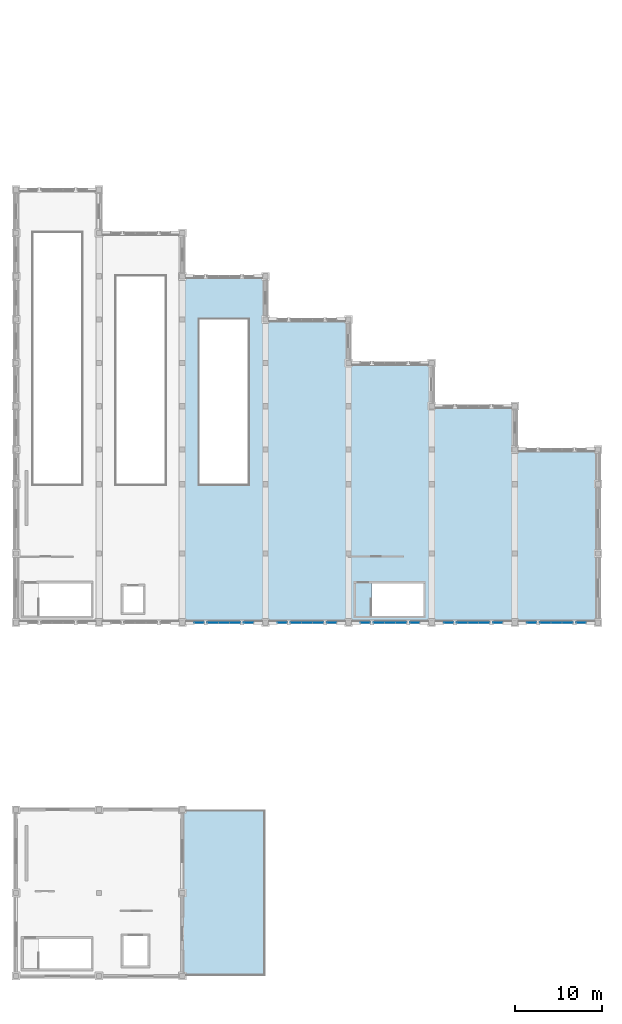
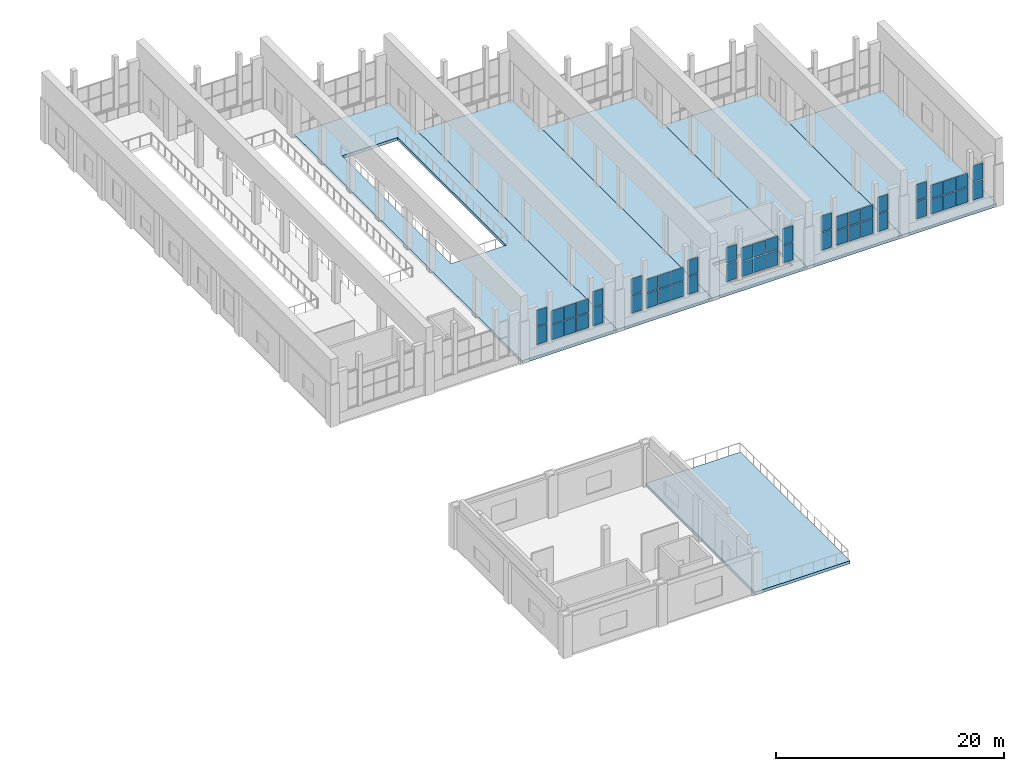
# One storey, part 24 of 46: 50 plates, 6 slabs, 15 elements without a shape of their own.
"""IFC4 building model written with IfcOpenShell, lengths in metres."""

from ifc_helpers import new_model, si_unit, direction, frame, origin, origin_2d, place, context, subcontext, project, spatial, polyline, rectangle, outline, extrude, material, layer, layer_set, type_object, element, aggregate, save


model = new_model("IFC4")

# Units and contexts
model_context = context("Model", 3, precision=1e-05, world=origin(), true_north=direction((0.0, 1.0)))
body_context = subcontext(model_context, "Body", "Model", "MODEL_VIEW")
ifc_project = project(units=[si_unit("LENGTHUNIT", "METRE"), si_unit("AREAUNIT", "SQUARE_METRE"), si_unit("VOLUMEUNIT", "CUBIC_METRE"), si_unit("PLANEANGLEUNIT", "RADIAN"), si_unit("MASSUNIT", "GRAM", prefix="KILO")], contexts=[model_context])

# Site, building, storey
site_placement = place(None, origin())
site = spatial("IfcSite", under=ifc_project, at=site_placement, CompositionType="ELEMENT")
building_placement = place(site_placement, origin())
building = spatial("IfcBuilding", under=site, at=building_placement, Name="Mavantir Sound Aquarium", CompositionType="ELEMENT")
storey_placement = place(building_placement, frame((0.0, 0.0, 15.300048828125)))
storey = spatial("IfcBuildingStorey", under=building, at=storey_placement, Name="L03", CompositionType="ELEMENT", Elevation=15.300048828125)

# Curtain wall, plates
ifc_material_1 = material(Name="Anodised Marine Aluminium and Low-E Glass", Category="aluminium")
curtain_wall_type_1 = type_object("IfcCurtainWallType", Name="CW-T10", PredefinedType="USERDEFINED", material=ifc_material_1)
curtain_wall_1_placement = place(storey_placement, origin())
curtain_wall_1 = element("IfcCurtainWall", 1, at=curtain_wall_1_placement, inside=storey, type_object=curtain_wall_type_1, Name="L03 unitised curtain wall CW-10 153", ObjectType="UNITISED GLAZING", PredefinedType="USERDEFINED")
ifc_material_2 = material(Name="Solar-Control Laminated Low-E Glass", Category="glass")
ifc_layer_1 = layer(ifc_material_2, 0.028076171875, Name="Solar-Control Laminated Low-E Glass")
ifc_layer_set_1 = layer_set([ifc_layer_1], Name="Solar-Control Laminated Low-E Glass")
plate_type_1 = type_object("IfcPlateType", Name="CW-PNL-28", PredefinedType="CURTAIN_PANEL", material=ifc_layer_set_1)
plate_1_placement = place(storey_placement, frame((130.7333984375, 40.800048828125, 1.222900390625), z_axis=(0.0, 0.0, 1.0), x_axis=(1.0, 0.0, 0.0)))
plate_1 = element("IfcPlate", 2, at=plate_1_placement, type_object=plate_type_1, Name="CW-DIOC-3S-C glazed curtain panel 1.1", PredefinedType="CURTAIN_PANEL", context=body_context, shape_type="SweptSolid", body=[
    extrude(rectangle(XDim=1.21875, YDim=0.028076171875, at=origin_2d()), origin(), (0.0, 0.0, 1.0), 1.56494140625),
])
plate_2_placement = place(storey_placement, frame((130.7333984375, 40.800048828125, 2.8837890625), z_axis=(0.0, 0.0, 1.0), x_axis=(1.0, 0.0, 0.0)))
plate_2 = element("IfcPlate", 3, at=plate_2_placement, type_object=plate_type_1, Name="CW-DIOC-3S-C glazed curtain panel 1.2", PredefinedType="CURTAIN_PANEL", context=body_context, shape_type="SweptSolid", body=[
    extrude(rectangle(XDim=1.21875, YDim=0.028076171875, at=origin_2d()), origin(), (0.0, 0.0, 1.0), 1.43310546875),
])
plate_3_placement = place(storey_placement, frame((132.0, 40.800048828125, 1.222900390625), z_axis=(0.0, 0.0, 1.0), x_axis=(1.0, 0.0, 0.0)))
plate_3 = element("IfcPlate", 4, at=plate_3_placement, type_object=plate_type_1, Name="CW-DIOC-3S-C glazed curtain panel 2.1", PredefinedType="CURTAIN_PANEL", context=body_context, shape_type="SweptSolid", body=[
    extrude(rectangle(XDim=1.21875, YDim=0.028076171875, at=origin_2d()), origin(), (0.0, 0.0, 1.0), 1.56494140625),
])
plate_4_placement = place(storey_placement, frame((132.0, 40.800048828125, 2.8837890625), z_axis=(0.0, 0.0, 1.0), x_axis=(1.0, 0.0, 0.0)))
plate_4 = element("IfcPlate", 5, at=plate_4_placement, type_object=plate_type_1, Name="CW-DIOC-3S-C glazed curtain panel 2.2", PredefinedType="CURTAIN_PANEL", context=body_context, shape_type="SweptSolid", body=[
    extrude(rectangle(XDim=1.21875, YDim=0.028076171875, at=origin_2d()), origin(), (0.0, 0.0, 1.0), 1.43310546875),
])
plate_5_placement = place(storey_placement, frame((133.2666015625, 40.800048828125, 1.222900390625), z_axis=(0.0, 0.0, 1.0), x_axis=(1.0, 0.0, 0.0)))
plate_5 = element("IfcPlate", 6, at=plate_5_placement, type_object=plate_type_1, Name="CW-DIOC-3S-C glazed curtain panel 3.1", PredefinedType="CURTAIN_PANEL", context=body_context, shape_type="SweptSolid", body=[
    extrude(rectangle(XDim=1.21875, YDim=0.028076171875, at=origin_2d()), origin(), (0.0, 0.0, 1.0), 1.56494140625),
])
plate_6_placement = place(storey_placement, frame((133.2666015625, 40.800048828125, 2.8837890625), z_axis=(0.0, 0.0, 1.0), x_axis=(1.0, 0.0, 0.0)))
plate_6 = element("IfcPlate", 7, at=plate_6_placement, type_object=plate_type_1, Name="CW-DIOC-3S-C glazed curtain panel 3.2", PredefinedType="CURTAIN_PANEL", context=body_context, shape_type="SweptSolid", body=[
    extrude(rectangle(XDim=1.21875, YDim=0.028076171875, at=origin_2d()), origin(), (0.0, 0.0, 1.0), 1.43310546875),
])
aggregate(curtain_wall_1, [plate_1, plate_2, plate_3, plate_4, plate_5, plate_6])

curtain_wall_type_2 = type_object("IfcCurtainWallType", Name="CW-T12", PredefinedType="USERDEFINED", material=ifc_material_1)
curtain_wall_2_placement = place(storey_placement, origin())
curtain_wall_2 = element("IfcCurtainWall", 8, at=curtain_wall_2_placement, inside=storey, type_object=curtain_wall_type_2, Name="L03 unitised curtain wall CW-12 155", ObjectType="UNITISED GLAZING", PredefinedType="USERDEFINED")
plate_7_placement = place(storey_placement, frame((134.85009765625, 40.800048828125, 1.222900390625), z_axis=(0.0, 0.0, 1.0), x_axis=(1.0, 0.0, 0.0)))
plate_7 = element("IfcPlate", 9, at=plate_7_placement, type_object=plate_type_1, Name="CW-DIOC-3S-R glazed curtain panel 1.1", PredefinedType="CURTAIN_PANEL", context=body_context, shape_type="SweptSolid", body=[
    extrude(rectangle(XDim=1.052001953125, YDim=0.028076171875, at=origin_2d()), origin(), (0.0, 0.0, 1.0), 1.86669921875),
])
plate_8_placement = place(storey_placement, frame((134.85009765625, 40.800048828125, 3.185546875), z_axis=(0.0, 0.0, 1.0), x_axis=(1.0, 0.0, 0.0)))
plate_8 = element("IfcPlate", 10, at=plate_8_placement, type_object=plate_type_1, Name="CW-DIOC-3S-R glazed curtain panel 1.2", PredefinedType="CURTAIN_PANEL", context=body_context, shape_type="SweptSolid", body=[
    extrude(rectangle(XDim=1.052001953125, YDim=0.028076171875, at=origin_2d()), origin(), (0.0, 0.0, 1.0), 1.71142578125),
])
aggregate(curtain_wall_2, [plate_7, plate_8])

curtain_wall_type_3 = type_object("IfcCurtainWallType", Name="CW-T16", PredefinedType="USERDEFINED", material=ifc_material_1)
curtain_wall_3_placement = place(storey_placement, origin())
curtain_wall_3 = element("IfcCurtainWall", 11, at=curtain_wall_3_placement, inside=storey, type_object=curtain_wall_type_3, Name="L03 unitised curtain wall CW-16 159", ObjectType="UNITISED GLAZING", PredefinedType="USERDEFINED")
plate_9_placement = place(storey_placement, frame((140.333251953125, 40.800048828125, 1.222900390625), z_axis=(0.0, 0.0, 1.0), x_axis=(1.0, 0.0, 0.0)))
plate_9 = element("IfcPlate", 12, at=plate_9_placement, type_object=plate_type_1, Name="CW-DIOC-4S-C glazed curtain panel 1.1", PredefinedType="CURTAIN_PANEL", context=body_context, shape_type="SweptSolid", body=[
    extrude(rectangle(XDim=1.21875, YDim=0.028076171875, at=origin_2d()), origin(), (0.0, 0.0, 1.0), 1.56494140625),
])
plate_10_placement = place(storey_placement, frame((140.333251953125, 40.800048828125, 2.8837890625), z_axis=(0.0, 0.0, 1.0), x_axis=(1.0, 0.0, 0.0)))
plate_10 = element("IfcPlate", 13, at=plate_10_placement, type_object=plate_type_1, Name="CW-DIOC-4S-C glazed curtain panel 1.2", PredefinedType="CURTAIN_PANEL", context=body_context, shape_type="SweptSolid", body=[
    extrude(rectangle(XDim=1.21875, YDim=0.028076171875, at=origin_2d()), origin(), (0.0, 0.0, 1.0), 1.43310546875),
])
plate_11_placement = place(storey_placement, frame((141.60009765625, 40.800048828125, 1.222900390625), z_axis=(0.0, 0.0, 1.0), x_axis=(1.0, 0.0, 0.0)))
plate_11 = element("IfcPlate", 14, at=plate_11_placement, type_object=plate_type_1, Name="CW-DIOC-4S-C glazed curtain panel 2.1", PredefinedType="CURTAIN_PANEL", context=body_context, shape_type="SweptSolid", body=[
    extrude(rectangle(XDim=1.21875, YDim=0.028076171875, at=origin_2d()), origin(), (0.0, 0.0, 1.0), 1.56494140625),
])
plate_12_placement = place(storey_placement, frame((141.60009765625, 40.800048828125, 2.8837890625), z_axis=(0.0, 0.0, 1.0), x_axis=(1.0, 0.0, 0.0)))
plate_12 = element("IfcPlate", 15, at=plate_12_placement, type_object=plate_type_1, Name="CW-DIOC-4S-C glazed curtain panel 2.2", PredefinedType="CURTAIN_PANEL", context=body_context, shape_type="SweptSolid", body=[
    extrude(rectangle(XDim=1.21875, YDim=0.028076171875, at=origin_2d()), origin(), (0.0, 0.0, 1.0), 1.43310546875),
])
plate_13_placement = place(storey_placement, frame((142.86669921875, 40.800048828125, 1.222900390625), z_axis=(0.0, 0.0, 1.0), x_axis=(1.0, 0.0, 0.0)))
plate_13 = element("IfcPlate", 16, at=plate_13_placement, type_object=plate_type_1, Name="CW-DIOC-4S-C glazed curtain panel 3.1", PredefinedType="CURTAIN_PANEL", context=body_context, shape_type="SweptSolid", body=[
    extrude(rectangle(XDim=1.21875, YDim=0.028076171875, at=origin_2d()), origin(), (0.0, 0.0, 1.0), 1.56494140625),
])
plate_14_placement = place(storey_placement, frame((142.86669921875, 40.800048828125, 2.8837890625), z_axis=(0.0, 0.0, 1.0), x_axis=(1.0, 0.0, 0.0)))
plate_14 = element("IfcPlate", 17, at=plate_14_placement, type_object=plate_type_1, Name="CW-DIOC-4S-C glazed curtain panel 3.2", PredefinedType="CURTAIN_PANEL", context=body_context, shape_type="SweptSolid", body=[
    extrude(rectangle(XDim=1.21875, YDim=0.028076171875, at=origin_2d()), origin(), (0.0, 0.0, 1.0), 1.43310546875),
])
aggregate(curtain_wall_3, [plate_9, plate_10, plate_11, plate_12, plate_13, plate_14])

curtain_wall_type_4 = type_object("IfcCurtainWallType", Name="CW-T18", PredefinedType="USERDEFINED", material=ifc_material_1)
curtain_wall_4_placement = place(storey_placement, origin())
curtain_wall_4 = element("IfcCurtainWall", 18, at=curtain_wall_4_placement, inside=storey, type_object=curtain_wall_type_4, Name="L03 unitised curtain wall CW-18 161", ObjectType="UNITISED GLAZING", PredefinedType="USERDEFINED")
plate_15_placement = place(storey_placement, frame((144.449951171875, 40.800048828125, 1.222900390625), z_axis=(0.0, 0.0, 1.0), x_axis=(1.0, 0.0, 0.0)))
plate_15 = element("IfcPlate", 19, at=plate_15_placement, type_object=plate_type_1, Name="CW-DIOC-4S-R glazed curtain panel 1.1", PredefinedType="CURTAIN_PANEL", context=body_context, shape_type="SweptSolid", body=[
    extrude(rectangle(XDim=1.052001953125, YDim=0.028076171875, at=origin_2d()), origin(), (0.0, 0.0, 1.0), 1.86669921875),
])
plate_16_placement = place(storey_placement, frame((144.449951171875, 40.800048828125, 3.185546875), z_axis=(0.0, 0.0, 1.0), x_axis=(1.0, 0.0, 0.0)))
plate_16 = element("IfcPlate", 20, at=plate_16_placement, type_object=plate_type_1, Name="CW-DIOC-4S-R glazed curtain panel 1.2", PredefinedType="CURTAIN_PANEL", context=body_context, shape_type="SweptSolid", body=[
    extrude(rectangle(XDim=1.052001953125, YDim=0.028076171875, at=origin_2d()), origin(), (0.0, 0.0, 1.0), 1.71142578125),
])
aggregate(curtain_wall_4, [plate_15, plate_16])

curtain_wall_type_5 = type_object("IfcCurtainWallType", Name="CW-T22", PredefinedType="USERDEFINED", material=ifc_material_1)
curtain_wall_5_placement = place(storey_placement, origin())
curtain_wall_5 = element("IfcCurtainWall", 21, at=curtain_wall_5_placement, inside=storey, type_object=curtain_wall_type_5, Name="L03 unitised curtain wall CW-22 165", ObjectType="UNITISED GLAZING", PredefinedType="USERDEFINED")
plate_17_placement = place(storey_placement, frame((149.933349609375, 40.800048828125, 1.222900390625), z_axis=(0.0, 0.0, 1.0), x_axis=(1.0, 0.0, 0.0)))
plate_17 = element("IfcPlate", 22, at=plate_17_placement, type_object=plate_type_1, Name="CW-DIOC-5S-C glazed curtain panel 1.1", PredefinedType="CURTAIN_PANEL", context=body_context, shape_type="SweptSolid", body=[
    extrude(rectangle(XDim=1.21875, YDim=0.028076171875, at=origin_2d()), origin(), (0.0, 0.0, 1.0), 1.56494140625),
])
plate_18_placement = place(storey_placement, frame((149.933349609375, 40.800048828125, 2.8837890625), z_axis=(0.0, 0.0, 1.0), x_axis=(1.0, 0.0, 0.0)))
plate_18 = element("IfcPlate", 23, at=plate_18_placement, type_object=plate_type_1, Name="CW-DIOC-5S-C glazed curtain panel 1.2", PredefinedType="CURTAIN_PANEL", context=body_context, shape_type="SweptSolid", body=[
    extrude(rectangle(XDim=1.21875, YDim=0.028076171875, at=origin_2d()), origin(), (0.0, 0.0, 1.0), 1.43310546875),
])
plate_19_placement = place(storey_placement, frame((151.199951171875, 40.800048828125, 1.222900390625), z_axis=(0.0, 0.0, 1.0), x_axis=(1.0, 0.0, 0.0)))
plate_19 = element("IfcPlate", 24, at=plate_19_placement, type_object=plate_type_1, Name="CW-DIOC-5S-C glazed curtain panel 2.1", PredefinedType="CURTAIN_PANEL", context=body_context, shape_type="SweptSolid", body=[
    extrude(rectangle(XDim=1.21875, YDim=0.028076171875, at=origin_2d()), origin(), (0.0, 0.0, 1.0), 1.56494140625),
])
plate_20_placement = place(storey_placement, frame((151.199951171875, 40.800048828125, 2.8837890625), z_axis=(0.0, 0.0, 1.0), x_axis=(1.0, 0.0, 0.0)))
plate_20 = element("IfcPlate", 25, at=plate_20_placement, type_object=plate_type_1, Name="CW-DIOC-5S-C glazed curtain panel 2.2", PredefinedType="CURTAIN_PANEL", context=body_context, shape_type="SweptSolid", body=[
    extrude(rectangle(XDim=1.21875, YDim=0.028076171875, at=origin_2d()), origin(), (0.0, 0.0, 1.0), 1.43310546875),
])
plate_21_placement = place(storey_placement, frame((152.466796875, 40.800048828125, 1.222900390625), z_axis=(0.0, 0.0, 1.0), x_axis=(1.0, 0.0, 0.0)))
plate_21 = element("IfcPlate", 26, at=plate_21_placement, type_object=plate_type_1, Name="CW-DIOC-5S-C glazed curtain panel 3.1", PredefinedType="CURTAIN_PANEL", context=body_context, shape_type="SweptSolid", body=[
    extrude(rectangle(XDim=1.21875, YDim=0.028076171875, at=origin_2d()), origin(), (0.0, 0.0, 1.0), 1.56494140625),
])
plate_22_placement = place(storey_placement, frame((152.466796875, 40.800048828125, 2.8837890625), z_axis=(0.0, 0.0, 1.0), x_axis=(1.0, 0.0, 0.0)))
plate_22 = element("IfcPlate", 27, at=plate_22_placement, type_object=plate_type_1, Name="CW-DIOC-5S-C glazed curtain panel 3.2", PredefinedType="CURTAIN_PANEL", context=body_context, shape_type="SweptSolid", body=[
    extrude(rectangle(XDim=1.21875, YDim=0.028076171875, at=origin_2d()), origin(), (0.0, 0.0, 1.0), 1.43310546875),
])
aggregate(curtain_wall_5, [plate_17, plate_18, plate_19, plate_20, plate_21, plate_22])

curtain_wall_type_6 = type_object("IfcCurtainWallType", Name="CW-T24", PredefinedType="USERDEFINED", material=ifc_material_1)
curtain_wall_6_placement = place(storey_placement, origin())
curtain_wall_6 = element("IfcCurtainWall", 28, at=curtain_wall_6_placement, inside=storey, type_object=curtain_wall_type_6, Name="L03 unitised curtain wall CW-24 167", ObjectType="UNITISED GLAZING", PredefinedType="USERDEFINED")
plate_23_placement = place(storey_placement, frame((154.050048828125, 40.800048828125, 1.222900390625), z_axis=(0.0, 0.0, 1.0), x_axis=(1.0, 0.0, 0.0)))
plate_23 = element("IfcPlate", 29, at=plate_23_placement, type_object=plate_type_1, Name="CW-DIOC-5S-R glazed curtain panel 1.1", PredefinedType="CURTAIN_PANEL", context=body_context, shape_type="SweptSolid", body=[
    extrude(rectangle(XDim=1.052001953125, YDim=0.028076171875, at=origin_2d()), origin(), (0.0, 0.0, 1.0), 1.86669921875),
])
plate_24_placement = place(storey_placement, frame((154.050048828125, 40.800048828125, 3.185546875), z_axis=(0.0, 0.0, 1.0), x_axis=(1.0, 0.0, 0.0)))
plate_24 = element("IfcPlate", 30, at=plate_24_placement, type_object=plate_type_1, Name="CW-DIOC-5S-R glazed curtain panel 1.2", PredefinedType="CURTAIN_PANEL", context=body_context, shape_type="SweptSolid", body=[
    extrude(rectangle(XDim=1.052001953125, YDim=0.028076171875, at=origin_2d()), origin(), (0.0, 0.0, 1.0), 1.71142578125),
])
aggregate(curtain_wall_6, [plate_23, plate_24])

curtain_wall_type_7 = type_object("IfcCurtainWallType", Name="CW-T04", PredefinedType="USERDEFINED", material=ifc_material_1)
curtain_wall_7_placement = place(storey_placement, origin())
curtain_wall_7 = element("IfcCurtainWall", 31, at=curtain_wall_7_placement, inside=storey, type_object=curtain_wall_type_7, Name="L03 unitised curtain wall CW-04 171", ObjectType="UNITISED GLAZING", PredefinedType="USERDEFINED")
plate_25_placement = place(storey_placement, frame((159.533203125, 40.800048828125, 1.222900390625), z_axis=(0.0, 0.0, 1.0), x_axis=(1.0, 0.0, 0.0)))
plate_25 = element("IfcPlate", 32, at=plate_25_placement, type_object=plate_type_1, Name="CW-DIOC-6S-C glazed curtain panel 1.1", PredefinedType="CURTAIN_PANEL", context=body_context, shape_type="SweptSolid", body=[
    extrude(rectangle(XDim=1.21875, YDim=0.028076171875, at=origin_2d()), origin(), (0.0, 0.0, 1.0), 1.56494140625),
])
plate_26_placement = place(storey_placement, frame((159.533203125, 40.800048828125, 2.8837890625), z_axis=(0.0, 0.0, 1.0), x_axis=(1.0, 0.0, 0.0)))
plate_26 = element("IfcPlate", 33, at=plate_26_placement, type_object=plate_type_1, Name="CW-DIOC-6S-C glazed curtain panel 1.2", PredefinedType="CURTAIN_PANEL", context=body_context, shape_type="SweptSolid", body=[
    extrude(rectangle(XDim=1.21875, YDim=0.028076171875, at=origin_2d()), origin(), (0.0, 0.0, 1.0), 1.43310546875),
])
plate_27_placement = place(storey_placement, frame((160.800048828125, 40.800048828125, 1.222900390625), z_axis=(0.0, 0.0, 1.0), x_axis=(1.0, 0.0, 0.0)))
plate_27 = element("IfcPlate", 34, at=plate_27_placement, type_object=plate_type_1, Name="CW-DIOC-6S-C glazed curtain panel 2.1", PredefinedType="CURTAIN_PANEL", context=body_context, shape_type="SweptSolid", body=[
    extrude(rectangle(XDim=1.21875, YDim=0.028076171875, at=origin_2d()), origin(), (0.0, 0.0, 1.0), 1.56494140625),
])
plate_28_placement = place(storey_placement, frame((160.800048828125, 40.800048828125, 2.8837890625), z_axis=(0.0, 0.0, 1.0), x_axis=(1.0, 0.0, 0.0)))
plate_28 = element("IfcPlate", 35, at=plate_28_placement, type_object=plate_type_1, Name="CW-DIOC-6S-C glazed curtain panel 2.2", PredefinedType="CURTAIN_PANEL", context=body_context, shape_type="SweptSolid", body=[
    extrude(rectangle(XDim=1.21875, YDim=0.028076171875, at=origin_2d()), origin(), (0.0, 0.0, 1.0), 1.43310546875),
])
plate_29_placement = place(storey_placement, frame((162.066650390625, 40.800048828125, 1.222900390625), z_axis=(0.0, 0.0, 1.0), x_axis=(1.0, 0.0, 0.0)))
plate_29 = element("IfcPlate", 36, at=plate_29_placement, type_object=plate_type_1, Name="CW-DIOC-6S-C glazed curtain panel 3.1", PredefinedType="CURTAIN_PANEL", context=body_context, shape_type="SweptSolid", body=[
    extrude(rectangle(XDim=1.21875, YDim=0.028076171875, at=origin_2d()), origin(), (0.0, 0.0, 1.0), 1.56494140625),
])
plate_30_placement = place(storey_placement, frame((162.066650390625, 40.800048828125, 2.8837890625), z_axis=(0.0, 0.0, 1.0), x_axis=(1.0, 0.0, 0.0)))
plate_30 = element("IfcPlate", 37, at=plate_30_placement, type_object=plate_type_1, Name="CW-DIOC-6S-C glazed curtain panel 3.2", PredefinedType="CURTAIN_PANEL", context=body_context, shape_type="SweptSolid", body=[
    extrude(rectangle(XDim=1.21875, YDim=0.028076171875, at=origin_2d()), origin(), (0.0, 0.0, 1.0), 1.43310546875),
])
aggregate(curtain_wall_7, [plate_25, plate_26, plate_27, plate_28, plate_29, plate_30])

curtain_wall_type_8 = type_object("IfcCurtainWallType", Name="CW-T06", PredefinedType="USERDEFINED", material=ifc_material_1)
curtain_wall_8_placement = place(storey_placement, origin())
curtain_wall_8 = element("IfcCurtainWall", 38, at=curtain_wall_8_placement, inside=storey, type_object=curtain_wall_type_8, Name="L03 unitised curtain wall CW-06 173", ObjectType="UNITISED GLAZING", PredefinedType="USERDEFINED")
plate_31_placement = place(storey_placement, frame((163.64990234375, 40.800048828125, 1.222900390625), z_axis=(0.0, 0.0, 1.0), x_axis=(1.0, 0.0, 0.0)))
plate_31 = element("IfcPlate", 39, at=plate_31_placement, type_object=plate_type_1, Name="CW-DIOC-6S-R glazed curtain panel 1.1", PredefinedType="CURTAIN_PANEL", context=body_context, shape_type="SweptSolid", body=[
    extrude(rectangle(XDim=1.052001953125, YDim=0.028076171875, at=origin_2d()), origin(), (0.0, 0.0, 1.0), 1.86669921875),
])
plate_32_placement = place(storey_placement, frame((163.64990234375, 40.800048828125, 3.185546875), z_axis=(0.0, 0.0, 1.0), x_axis=(1.0, 0.0, 0.0)))
plate_32 = element("IfcPlate", 40, at=plate_32_placement, type_object=plate_type_1, Name="CW-DIOC-6S-R glazed curtain panel 1.2", PredefinedType="CURTAIN_PANEL", context=body_context, shape_type="SweptSolid", body=[
    extrude(rectangle(XDim=1.052001953125, YDim=0.028076171875, at=origin_2d()), origin(), (0.0, 0.0, 1.0), 1.71142578125),
])
aggregate(curtain_wall_8, [plate_31, plate_32])

curtain_wall_9_placement = place(storey_placement, origin())
curtain_wall_9 = element("IfcCurtainWall", 41, at=curtain_wall_9_placement, inside=storey, type_object=curtain_wall_type_1, Name="L03 unitised curtain wall CW-10 177", ObjectType="UNITISED GLAZING", PredefinedType="USERDEFINED")
plate_33_placement = place(storey_placement, frame((169.13330078125, 40.800048828125, 1.222900390625), z_axis=(0.0, 0.0, 1.0), x_axis=(1.0, 0.0, 0.0)))
plate_33 = element("IfcPlate", 42, at=plate_33_placement, type_object=plate_type_1, Name="CW-DIOC-7S-C glazed curtain panel 1.1", PredefinedType="CURTAIN_PANEL", context=body_context, shape_type="SweptSolid", body=[
    extrude(rectangle(XDim=1.21875, YDim=0.028076171875, at=origin_2d()), origin(), (0.0, 0.0, 1.0), 1.56494140625),
])
plate_34_placement = place(storey_placement, frame((169.13330078125, 40.800048828125, 2.8837890625), z_axis=(0.0, 0.0, 1.0), x_axis=(1.0, 0.0, 0.0)))
plate_34 = element("IfcPlate", 43, at=plate_34_placement, type_object=plate_type_1, Name="CW-DIOC-7S-C glazed curtain panel 1.2", PredefinedType="CURTAIN_PANEL", context=body_context, shape_type="SweptSolid", body=[
    extrude(rectangle(XDim=1.21875, YDim=0.028076171875, at=origin_2d()), origin(), (0.0, 0.0, 1.0), 1.43310546875),
])
plate_35_placement = place(storey_placement, frame((170.39990234375, 40.800048828125, 1.222900390625), z_axis=(0.0, 0.0, 1.0), x_axis=(1.0, 0.0, 0.0)))
plate_35 = element("IfcPlate", 44, at=plate_35_placement, type_object=plate_type_1, Name="CW-DIOC-7S-C glazed curtain panel 2.1", PredefinedType="CURTAIN_PANEL", context=body_context, shape_type="SweptSolid", body=[
    extrude(rectangle(XDim=1.21875, YDim=0.028076171875, at=origin_2d()), origin(), (0.0, 0.0, 1.0), 1.56494140625),
])
plate_36_placement = place(storey_placement, frame((170.39990234375, 40.800048828125, 2.8837890625), z_axis=(0.0, 0.0, 1.0), x_axis=(1.0, 0.0, 0.0)))
plate_36 = element("IfcPlate", 45, at=plate_36_placement, type_object=plate_type_1, Name="CW-DIOC-7S-C glazed curtain panel 2.2", PredefinedType="CURTAIN_PANEL", context=body_context, shape_type="SweptSolid", body=[
    extrude(rectangle(XDim=1.21875, YDim=0.028076171875, at=origin_2d()), origin(), (0.0, 0.0, 1.0), 1.43310546875),
])
plate_37_placement = place(storey_placement, frame((171.666748046875, 40.800048828125, 1.222900390625), z_axis=(0.0, 0.0, 1.0), x_axis=(1.0, 0.0, 0.0)))
plate_37 = element("IfcPlate", 46, at=plate_37_placement, type_object=plate_type_1, Name="CW-DIOC-7S-C glazed curtain panel 3.1", PredefinedType="CURTAIN_PANEL", context=body_context, shape_type="SweptSolid", body=[
    extrude(rectangle(XDim=1.21875, YDim=0.028076171875, at=origin_2d()), origin(), (0.0, 0.0, 1.0), 1.56494140625),
])
plate_38_placement = place(storey_placement, frame((171.666748046875, 40.800048828125, 2.8837890625), z_axis=(0.0, 0.0, 1.0), x_axis=(1.0, 0.0, 0.0)))
plate_38 = element("IfcPlate", 47, at=plate_38_placement, type_object=plate_type_1, Name="CW-DIOC-7S-C glazed curtain panel 3.2", PredefinedType="CURTAIN_PANEL", context=body_context, shape_type="SweptSolid", body=[
    extrude(rectangle(XDim=1.21875, YDim=0.028076171875, at=origin_2d()), origin(), (0.0, 0.0, 1.0), 1.43310546875),
])
aggregate(curtain_wall_9, [plate_33, plate_34, plate_35, plate_36, plate_37, plate_38])

curtain_wall_10_placement = place(storey_placement, origin())
curtain_wall_10 = element("IfcCurtainWall", 48, at=curtain_wall_10_placement, inside=storey, type_object=curtain_wall_type_2, Name="L03 unitised curtain wall CW-12 179", ObjectType="UNITISED GLAZING", PredefinedType="USERDEFINED")
plate_39_placement = place(storey_placement, frame((173.25, 40.800048828125, 1.222900390625), z_axis=(0.0, 0.0, 1.0), x_axis=(1.0, 0.0, 0.0)))
plate_39 = element("IfcPlate", 49, at=plate_39_placement, type_object=plate_type_1, Name="CW-DIOC-7S-R glazed curtain panel 1.1", PredefinedType="CURTAIN_PANEL", context=body_context, shape_type="SweptSolid", body=[
    extrude(rectangle(XDim=1.052001953125, YDim=0.028076171875, at=origin_2d()), origin(), (0.0, 0.0, 1.0), 1.86669921875),
])
plate_40_placement = place(storey_placement, frame((173.25, 40.800048828125, 3.185546875), z_axis=(0.0, 0.0, 1.0), x_axis=(1.0, 0.0, 0.0)))
plate_40 = element("IfcPlate", 50, at=plate_40_placement, type_object=plate_type_1, Name="CW-DIOC-7S-R glazed curtain panel 1.2", PredefinedType="CURTAIN_PANEL", context=body_context, shape_type="SweptSolid", body=[
    extrude(rectangle(XDim=1.052001953125, YDim=0.028076171875, at=origin_2d()), origin(), (0.0, 0.0, 1.0), 1.71142578125),
])
aggregate(curtain_wall_10, [plate_39, plate_40])

curtain_wall_type_9 = type_object("IfcCurtainWallType", Name="CW-T11", PredefinedType="USERDEFINED", material=ifc_material_1)
curtain_wall_11_placement = place(storey_placement, origin())
curtain_wall_11 = element("IfcCurtainWall", 51, at=curtain_wall_11_placement, inside=storey, type_object=curtain_wall_type_9, Name="L03 unitised curtain wall CW-11 154", ObjectType="UNITISED GLAZING", PredefinedType="USERDEFINED")
ifc_layer_2 = layer(ifc_material_2, 0.031982421875, Name="Solar-Control Laminated Low-E Glass")
ifc_layer_set_2 = layer_set([ifc_layer_2], Name="Solar-Control Laminated Low-E Glass")
plate_type_2 = type_object("IfcPlateType", Name="CW-PNL-32", PredefinedType="CURTAIN_PANEL", material=ifc_layer_set_2)
plate_41_placement = place(storey_placement, frame((129.14990234375, 40.800048828125, 1.222900390625), z_axis=(0.0, 0.0, 1.0), x_axis=(1.0, 0.0, 0.0)))
plate_41 = element("IfcPlate", 52, at=plate_41_placement, type_object=plate_type_2, Name="CW-DIOC-3S-L glazed curtain panel 1.1", PredefinedType="CURTAIN_PANEL", context=body_context, shape_type="SweptSolid", body=[
    extrude(rectangle(XDim=1.052001953125, YDim=0.031982421875, at=origin_2d()), origin(), (0.0, 0.0, 1.0), 1.86669921875),
])
plate_42_placement = place(storey_placement, frame((129.14990234375, 40.800048828125, 3.185546875), z_axis=(0.0, 0.0, 1.0), x_axis=(1.0, 0.0, 0.0)))
plate_42 = element("IfcPlate", 53, at=plate_42_placement, type_object=plate_type_2, Name="CW-DIOC-3S-L glazed curtain panel 1.2", PredefinedType="CURTAIN_PANEL", context=body_context, shape_type="SweptSolid", body=[
    extrude(rectangle(XDim=1.052001953125, YDim=0.031982421875, at=origin_2d()), origin(), (0.0, 0.0, 1.0), 1.71142578125),
])
aggregate(curtain_wall_11, [plate_41, plate_42])

curtain_wall_type_10 = type_object("IfcCurtainWallType", Name="CW-T17", PredefinedType="USERDEFINED", material=ifc_material_1)
curtain_wall_12_placement = place(storey_placement, origin())
curtain_wall_12 = element("IfcCurtainWall", 54, at=curtain_wall_12_placement, inside=storey, type_object=curtain_wall_type_10, Name="L03 unitised curtain wall CW-17 160", ObjectType="UNITISED GLAZING", PredefinedType="USERDEFINED")
plate_43_placement = place(storey_placement, frame((138.75, 40.800048828125, 1.222900390625), z_axis=(0.0, 0.0, 1.0), x_axis=(1.0, 0.0, 0.0)))
plate_43 = element("IfcPlate", 55, at=plate_43_placement, type_object=plate_type_2, Name="CW-DIOC-4S-L glazed curtain panel 1.1", PredefinedType="CURTAIN_PANEL", context=body_context, shape_type="SweptSolid", body=[
    extrude(rectangle(XDim=1.052001953125, YDim=0.031982421875, at=origin_2d()), origin(), (0.0, 0.0, 1.0), 1.86669921875),
])
plate_44_placement = place(storey_placement, frame((138.75, 40.800048828125, 3.185546875), z_axis=(0.0, 0.0, 1.0), x_axis=(1.0, 0.0, 0.0)))
plate_44 = element("IfcPlate", 56, at=plate_44_placement, type_object=plate_type_2, Name="CW-DIOC-4S-L glazed curtain panel 1.2", PredefinedType="CURTAIN_PANEL", context=body_context, shape_type="SweptSolid", body=[
    extrude(rectangle(XDim=1.052001953125, YDim=0.031982421875, at=origin_2d()), origin(), (0.0, 0.0, 1.0), 1.71142578125),
])
aggregate(curtain_wall_12, [plate_43, plate_44])

curtain_wall_type_11 = type_object("IfcCurtainWallType", Name="CW-T23", PredefinedType="USERDEFINED", material=ifc_material_1)
curtain_wall_13_placement = place(storey_placement, origin())
curtain_wall_13 = element("IfcCurtainWall", 57, at=curtain_wall_13_placement, inside=storey, type_object=curtain_wall_type_11, Name="L03 unitised curtain wall CW-23 166", ObjectType="UNITISED GLAZING", PredefinedType="USERDEFINED")
plate_45_placement = place(storey_placement, frame((148.35009765625, 40.800048828125, 1.222900390625), z_axis=(0.0, 0.0, 1.0), x_axis=(1.0, 0.0, 0.0)))
plate_45 = element("IfcPlate", 58, at=plate_45_placement, type_object=plate_type_2, Name="CW-DIOC-5S-L glazed curtain panel 1.1", PredefinedType="CURTAIN_PANEL", context=body_context, shape_type="SweptSolid", body=[
    extrude(rectangle(XDim=1.052001953125, YDim=0.031982421875, at=origin_2d()), origin(), (0.0, 0.0, 1.0), 1.86669921875),
])
plate_46_placement = place(storey_placement, frame((148.35009765625, 40.800048828125, 3.185546875), z_axis=(0.0, 0.0, 1.0), x_axis=(1.0, 0.0, 0.0)))
plate_46 = element("IfcPlate", 59, at=plate_46_placement, type_object=plate_type_2, Name="CW-DIOC-5S-L glazed curtain panel 1.2", PredefinedType="CURTAIN_PANEL", context=body_context, shape_type="SweptSolid", body=[
    extrude(rectangle(XDim=1.052001953125, YDim=0.031982421875, at=origin_2d()), origin(), (0.0, 0.0, 1.0), 1.71142578125),
])
aggregate(curtain_wall_13, [plate_45, plate_46])

curtain_wall_type_12 = type_object("IfcCurtainWallType", Name="CW-T05", PredefinedType="USERDEFINED", material=ifc_material_1)
curtain_wall_14_placement = place(storey_placement, origin())
curtain_wall_14 = element("IfcCurtainWall", 60, at=curtain_wall_14_placement, inside=storey, type_object=curtain_wall_type_12, Name="L03 unitised curtain wall CW-05 172", ObjectType="UNITISED GLAZING", PredefinedType="USERDEFINED")
plate_47_placement = place(storey_placement, frame((157.949951171875, 40.800048828125, 1.222900390625), z_axis=(0.0, 0.0, 1.0), x_axis=(1.0, 0.0, 0.0)))
plate_47 = element("IfcPlate", 61, at=plate_47_placement, type_object=plate_type_2, Name="CW-DIOC-6S-L glazed curtain panel 1.1", PredefinedType="CURTAIN_PANEL", context=body_context, shape_type="SweptSolid", body=[
    extrude(rectangle(XDim=1.052001953125, YDim=0.031982421875, at=origin_2d()), origin(), (0.0, 0.0, 1.0), 1.86669921875),
])
plate_48_placement = place(storey_placement, frame((157.949951171875, 40.800048828125, 3.185546875), z_axis=(0.0, 0.0, 1.0), x_axis=(1.0, 0.0, 0.0)))
plate_48 = element("IfcPlate", 62, at=plate_48_placement, type_object=plate_type_2, Name="CW-DIOC-6S-L glazed curtain panel 1.2", PredefinedType="CURTAIN_PANEL", context=body_context, shape_type="SweptSolid", body=[
    extrude(rectangle(XDim=1.052001953125, YDim=0.031982421875, at=origin_2d()), origin(), (0.0, 0.0, 1.0), 1.71142578125),
])
aggregate(curtain_wall_14, [plate_47, plate_48])

curtain_wall_15_placement = place(storey_placement, origin())
curtain_wall_15 = element("IfcCurtainWall", 63, at=curtain_wall_15_placement, inside=storey, type_object=curtain_wall_type_9, Name="L03 unitised curtain wall CW-11 178", ObjectType="UNITISED GLAZING", PredefinedType="USERDEFINED")
plate_49_placement = place(storey_placement, frame((167.550048828125, 40.800048828125, 1.222900390625), z_axis=(0.0, 0.0, 1.0), x_axis=(1.0, 0.0, 0.0)))
plate_49 = element("IfcPlate", 64, at=plate_49_placement, type_object=plate_type_2, Name="CW-DIOC-7S-L glazed curtain panel 1.1", PredefinedType="CURTAIN_PANEL", context=body_context, shape_type="SweptSolid", body=[
    extrude(rectangle(XDim=1.052001953125, YDim=0.031982421875, at=origin_2d()), origin(), (0.0, 0.0, 1.0), 1.86669921875),
])
plate_50_placement = place(storey_placement, frame((167.550048828125, 40.800048828125, 3.185546875), z_axis=(0.0, 0.0, 1.0), x_axis=(1.0, 0.0, 0.0)))
plate_50 = element("IfcPlate", 65, at=plate_50_placement, type_object=plate_type_2, Name="CW-DIOC-7S-L glazed curtain panel 1.2", PredefinedType="CURTAIN_PANEL", context=body_context, shape_type="SweptSolid", body=[
    extrude(rectangle(XDim=1.052001953125, YDim=0.031982421875, at=origin_2d()), origin(), (0.0, 0.0, 1.0), 1.71142578125),
])
aggregate(curtain_wall_15, [plate_49, plate_50])

# Slabs
ifc_material_3 = material(Name="Concrete C40/50", Category="concrete")
ifc_layer_3 = layer(ifc_material_3, 0.31005859375, Name="Concrete C40/50")
ifc_layer_set_3 = layer_set([ifc_layer_3], Name="Concrete C40/50")
slab_type_1 = type_object("IfcSlabType", Name="SLB-FS-07", PredefinedType="FLOOR", material=ifc_layer_set_3)
slab_1_placement = place(storey_placement, frame((0.0, 0.0, -0.31005859375)))
element("IfcSlab", 66, at=slab_1_placement, inside=storey, type_object=slab_type_1, Name="L03 structural slab FS-07 (V4)", PredefinedType="FLOOR", context=body_context, shape_type="SweptSolid", body=[
    extrude(outline(polyline([(136.800048828125, 40.800048828125), (136.800048828125, 80.800048828125), (127.199951171875, 80.800048828125), (127.199951171875, 40.800048828125), (136.800048828125, 40.800048828125)]), holes=[polyline([(129.199951171875, 56.800048828125), (134.800048828125, 56.800048828125), (134.800048828125, 75.800048828125), (129.199951171875, 75.800048828125), (129.199951171875, 56.800048828125)])]), origin(), (0.0, 0.0, 1.0), 0.31005859375),
])
slab_2_placement = place(storey_placement, frame((0.0, 0.0, -0.31005859375)))
element("IfcSlab", 67, at=slab_2_placement, inside=storey, type_object=slab_type_1, Name="L03 structural slab FS-07 (V4)", PredefinedType="FLOOR", context=body_context, shape_type="SweptSolid", body=[
    extrude(outline(polyline([(146.39990234375, 40.800048828125), (146.39990234375, 75.800048828125), (136.800048828125, 75.800048828125), (136.800048828125, 40.800048828125), (146.39990234375, 40.800048828125)])), origin(), (0.0, 0.0, 1.0), 0.31005859375),
])
slab_3_placement = place(storey_placement, frame((0.0, 0.0, -0.31005859375)))
element("IfcSlab", 68, at=slab_3_placement, inside=storey, type_object=slab_type_1, Name="L03 structural slab FS-07 (V4)", PredefinedType="FLOOR", context=body_context, shape_type="SweptSolid", body=[
    extrude(outline(polyline([(156.0, 40.800048828125), (156.0, 70.800048828125), (146.39990234375, 70.800048828125), (146.39990234375, 40.800048828125), (156.0, 40.800048828125)]), holes=[polyline([(149.050048828125, 41.60009765625), (155.050048828125, 41.60009765625), (155.050048828125, 45.35009765625), (149.050048828125, 45.35009765625), (149.050048828125, 41.60009765625)])]), origin(), (0.0, 0.0, 1.0), 0.31005859375),
])
slab_4_placement = place(storey_placement, frame((0.0, 0.0, -0.31005859375)))
element("IfcSlab", 69, at=slab_4_placement, inside=storey, type_object=slab_type_1, Name="L03 structural slab FS-07 (V4)", PredefinedType="FLOOR", context=body_context, shape_type="SweptSolid", body=[
    extrude(outline(polyline([(165.60009765625, 40.800048828125), (165.60009765625, 65.800048828125), (156.0, 65.800048828125), (156.0, 40.800048828125), (165.60009765625, 40.800048828125)])), origin(), (0.0, 0.0, 1.0), 0.31005859375),
])
slab_5_placement = place(storey_placement, frame((0.0, 0.0, -0.31005859375)))
element("IfcSlab", 70, at=slab_5_placement, inside=storey, type_object=slab_type_1, Name="L03 structural slab FS-07 (V4)", PredefinedType="FLOOR", context=body_context, shape_type="SweptSolid", body=[
    extrude(outline(polyline([(175.199951171875, 40.800048828125), (175.199951171875, 60.800048828125), (165.60009765625, 60.800048828125), (165.60009765625, 40.800048828125), (175.199951171875, 40.800048828125)])), origin(), (0.0, 0.0, 1.0), 0.31005859375),
])
ifc_layer_4 = layer(ifc_material_3, 0.320068359375, Name="Concrete C40/50")
ifc_layer_set_4 = layer_set([ifc_layer_4], Name="Concrete C40/50")
slab_type_2 = type_object("IfcSlabType", Name="SLB-TRS-02", PredefinedType="FLOOR", material=ifc_layer_set_4)
slab_6_placement = place(storey_placement, frame((0.0, 0.0, -0.320068359375)))
element("IfcSlab", 71, at=slab_6_placement, inside=storey, type_object=slab_type_2, Name="L03 outdoor terrace slab TRS-02", PredefinedType="FLOOR", context=body_context, shape_type="SweptSolid", body=[
    extrude(outline(polyline([(127.199951171875, 0.0), (136.800048828125, 0.0), (136.800048828125, 19.199951171875), (127.199951171875, 19.199951171875), (127.199951171875, 0.0)])), origin(), (0.0, 0.0, 1.0), 0.320068359375),
])

save(model, "model.ifc")
